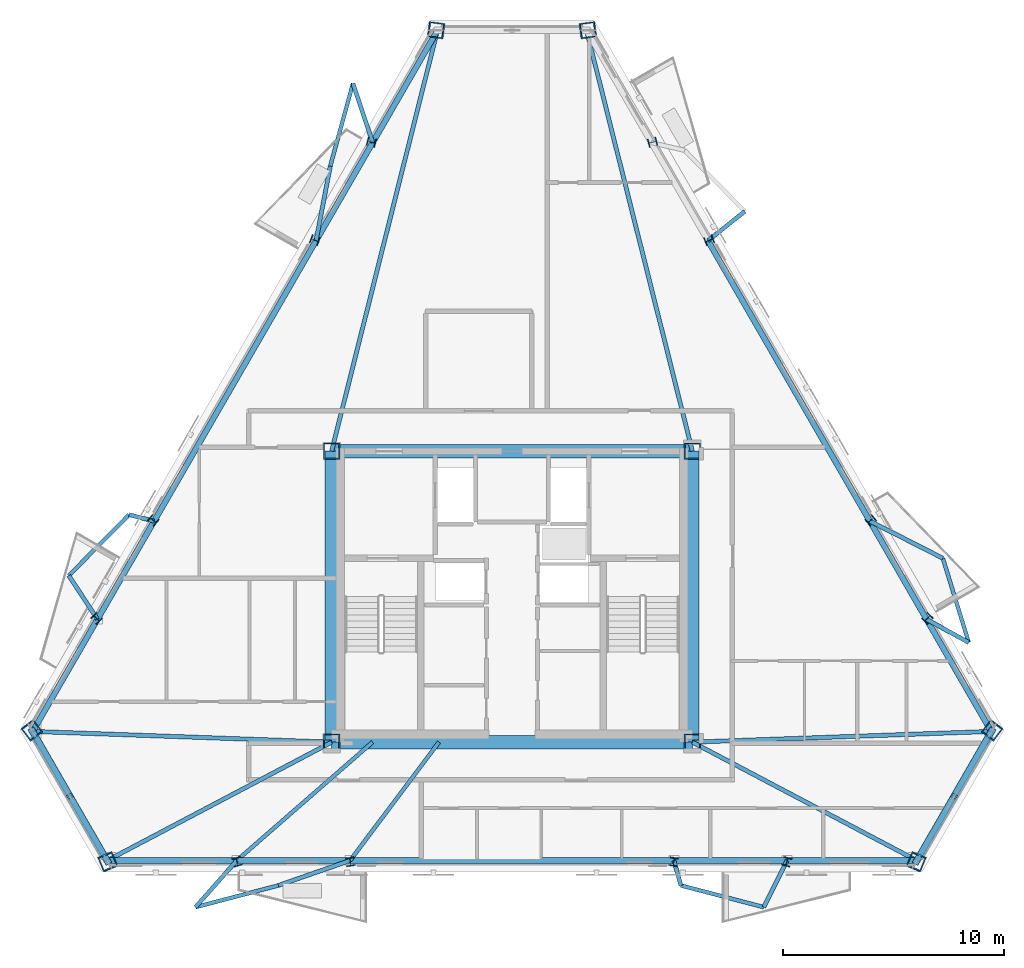
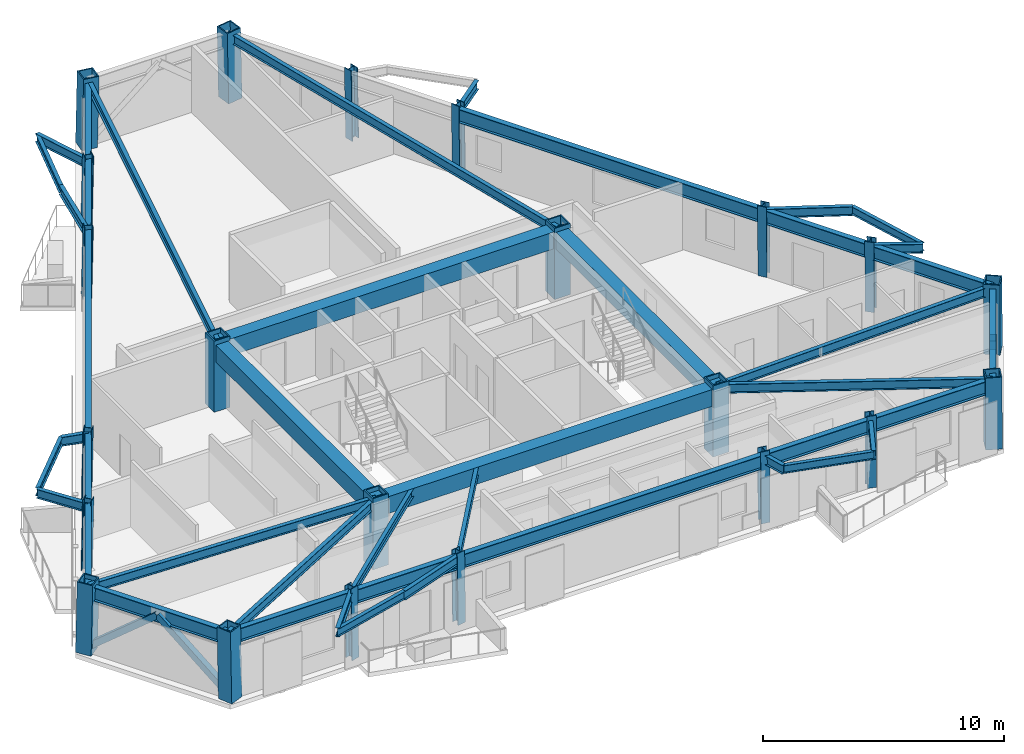
# One storey, part 1 of 11: 43 beams, 22 columns, 4 members.
"""IFC4 building model written with IfcOpenShell, lengths in metres."""

from ifc_helpers import new_model, si_unit, direction, frame, origin, origin_2d, place, context, subcontext, project, spatial, rectangle, hollow_rectangle, i_section, extrude, material, material_profile, profile_set, type_object, element, save


model = new_model("IFC4")

# Units and contexts
model_context = context("Model", 3, precision=1e-05, world=origin(), true_north=direction((0.0, 1.0)))
body_context = subcontext(model_context, "Body", "Model", "MODEL_VIEW")
ifc_project = project(units=[si_unit("LENGTHUNIT", "METRE"), si_unit("AREAUNIT", "SQUARE_METRE"), si_unit("VOLUMEUNIT", "CUBIC_METRE"), si_unit("PLANEANGLEUNIT", "RADIAN"), si_unit("MASSUNIT", "GRAM", prefix="KILO")], contexts=[model_context])

# Site, building, storey
site_placement = place(None, origin())
site = spatial("IfcSite", under=ifc_project, at=site_placement, CompositionType="ELEMENT")
building_placement = place(site_placement, origin())
building = spatial("IfcBuilding", under=site, at=building_placement, Name="Oramaril Tower", CompositionType="ELEMENT")
storey_placement = place(building_placement, frame((0.0, 0.0, 212.699951171875)))
storey = spatial("IfcBuildingStorey", under=building, at=storey_placement, Name="L56", CompositionType="ELEMENT", Elevation=212.699951171875)

# Columns
ifc_material_1 = material(Name="Steel ASTM A572 Gr 50", Category="steel")
ifc_material_profile_1 = material_profile(ifc_material_1, hollow_rectangle(XDim=0.75, YDim=0.75, WallThickness=0.06005859375, at=origin_2d()), Name="BOX750X750X60")
ifc_profile_set_1 = profile_set([ifc_material_profile_1], Name="Steel ASTM A572 Gr 50")
column_type_1 = type_object("IfcColumnType", Name="CT-CC4", PredefinedType="COLUMN", material=ifc_profile_set_1)
for number, where, z_axis, x_axis, name in (
    (1, (29.35009765625, 11.0, 0.0), (0.0, 0.0, 1.0), (1.0, 0.0, 0.0), "L56 Core Column CC-1"),
    (2, (45.64990234375, 11.0, 0.0), (0.0, 0.0, 1.0), (1.0, 0.0, 0.0), "L56 Core Column CC-2"),
    (3, (45.64990234375, 24.14990234375, 0.0), (0.0, 0.0, 1.0), (1.0, 0.0, 0.0), "L56 Core Column CC-3"),
    (4, (29.35009765625, 24.14990234375, 0.0), (0.0, 0.0, 1.0), (1.0, 0.0, 0.0), "L56 Core Column CC-4"),
):
    element("IfcColumn", number, at=place(storey_placement, frame(where, z_axis=z_axis, x_axis=x_axis)), inside=storey, type_object=column_type_1, Name=name, PredefinedType="COLUMN", context=body_context, shape_type="SweptSolid", body=[
        extrude(hollow_rectangle(XDim=0.75, YDim=0.75, WallThickness=0.06005859375, at=origin_2d()), origin(), (0.0, 0.0, 1.0), 3.60009765625),
    ])
ifc_material_2 = material(Name="Steel ASTM A572 Gr 50", Category="steel")
ifc_material_profile_2 = material_profile(ifc_material_2, hollow_rectangle(XDim=0.699951171875, YDim=0.699951171875, WallThickness=0.054931640625, at=origin_2d()), Name="BOX700X700X55")
ifc_profile_set_2 = profile_set([ifc_material_profile_2], Name="Steel ASTM A572 Gr 50")
column_type_2 = type_object("IfcColumnType", Name="CT-TC4", PredefinedType="COLUMN", material=ifc_profile_set_2)
for number, where, z_axis, x_axis, name in (
    (5, (15.798828125, 11.542724609375, 0.004638671875), (0.012235746513, -0.016042423206, 0.999796442865), (0.795122252878, 0.606449175924, 0.0), "L56 Tube Column TC-01"),
    (6, (19.238525390625, 5.584716796875, 0.004638671875), (-0.007749306555, 0.018625526281, 0.999796498303), (-0.923276184907, -0.384136806859, 0.0), "L56 Tube Column TC-02"),
    (7, (55.761474609375, 5.584716796875, 0.004638671875), (0.007749306555, 0.018625526281, 0.999796498303), (-0.923276184907, 0.384136806859, 0.0), "L56 Tube Column TC-03"),
    (8, (59.201171875, 11.542724609375, 0.004638671875), (-0.012235746513, -0.016042423206, 0.999796442865), (0.795122252878, -0.606449175924, 0.0), "L56 Tube Column TC-04"),
    (9, (40.939697265625, 43.172607421875, 0.004638671875), (-0.019985059056, -0.002651079263, 0.999796763944), (0.131501105217, -0.991316023943, 0.0), "L56 Tube Column TC-05"),
    (10, (34.060302734375, 43.172607421875, 0.004638671875), (0.019985059056, -0.002651079263, 0.999796763944), (0.131501105217, 0.991316023943, 0.0), "L56 Tube Column TC-06"),
):
    element("IfcColumn", number, at=place(storey_placement, frame(where, z_axis=z_axis, x_axis=x_axis)), inside=storey, type_object=column_type_2, Name=name, PredefinedType="COLUMN", context=body_context, shape_type="SweptSolid", body=[
        extrude(hollow_rectangle(XDim=0.699951171875, YDim=0.699951171875, WallThickness=0.054931640625, at=origin_2d()), origin(), (0.0, 0.0, 1.0), 3.591552734375),
    ])
ifc_material_3 = material(Name="Steel ASTM A572 Gr 50", Category="steel")
ifc_material_profile_3 = material_profile(ifc_material_3, i_section(OverallWidth=0.39892578125, OverallDepth=0.385986328125, WebThickness=0.02099609375, FlangeThickness=0.033203125, at=origin_2d()), Name="W14X176")
ifc_profile_set_3 = profile_set([ifc_material_profile_3], Name="Steel ASTM A572 Gr 50")
column_type_3 = type_object("IfcColumnType", Name="CT-TF4", PredefinedType="COLUMN", material=ifc_profile_set_3)
for number, where, z_axis, x_axis, name in (
    (11, (25.082275390625, 5.584716796875, 0.004638671875), (-0.005302241791, 0.018625823727, 0.999812464877), (-0.961788419571, -0.273793783674, 0.0), "L56 Tube Column TC-07"),
    (12, (30.1953125, 5.584716796875, 0.004638671875), (-0.003059014337, 0.018625998406, 0.999821841437), (-0.986780496976, -0.162062490379, 0.0), "L56 Tube Column TC-08"),
    (13, (44.8046875, 5.584716796875, 0.004638671875), (0.003059014337, 0.018625998406, 0.999821841437), (-0.986780496976, 0.162062490379, 0.0), "L56 Tube Column TC-09"),
    (14, (49.917724609375, 5.584716796875, 0.004638671875), (0.005302241791, 0.018625823727, 0.999812464877), (-0.961788419571, 0.273793783674, 0.0), "L56 Tube Column TC-10"),
    (15, (56.279296875, 16.603515625, 0.004638671875), (-0.013459547427, -0.013867412501, 0.999813250289), (0.717580691628, -0.696475377169, 0.0), "L56 Tube Column TC-11"),
    (16, (53.722900390625, 21.031494140625, 0.004638671875), (-0.014615287343, -0.011964142197, 0.999821610427), (0.633433758122, -0.773796920433, 0.0), "L56 Tube Column TC-12"),
    (17, (46.418212890625, 33.68359375, 0.004638671875), (-0.017674300851, -0.006661851859, 0.999821603497), (0.352700580664, -0.935736234416, 0.0), "L56 Tube Column TC-13"),
    (18, (43.861572265625, 38.11181640625, 0.004638671875), (-0.018761776174, -0.004826398943, 0.999812333205), (0.249135076206, -0.968468746942, 0.0), "L56 Tube Column TC-14"),
    (19, (31.138427734375, 38.11181640625, 0.004638671875), (0.018761776174, -0.004826398943, 0.999812333205), (0.249135076206, 0.968468746942, 0.0), "L56 Tube Column TC-15"),
    (20, (28.581787109375, 33.68359375, 0.004638671875), (0.017674300851, -0.006661851859, 0.999821603497), (0.352700580664, 0.935736234416, 0.0), "L56 Tube Column TC-16"),
    (21, (21.277099609375, 21.031494140625, 0.004638671875), (0.014615287343, -0.011964142197, 0.999821610427), (0.633433758122, 0.773796920433, 0.0), "L56 Tube Column TC-17"),
    (22, (18.720703125, 16.603515625, 0.004638671875), (0.013459547427, -0.013867412501, 0.999813250289), (0.717580691628, 0.696475377169, 0.0), "L56 Tube Column TC-18"),
):
    element("IfcColumn", number, at=place(storey_placement, frame(where, z_axis=z_axis, x_axis=x_axis)), inside=storey, type_object=column_type_3, Name=name, PredefinedType="COLUMN", context=body_context, shape_type="SweptSolid", body=[
        extrude(i_section(OverallWidth=0.39892578125, OverallDepth=0.385986328125, WebThickness=0.02099609375, FlangeThickness=0.033203125, at=origin_2d()), origin(), (0.0, 0.0, 1.0), 3.591552734375),
    ])

# Beams
ifc_material_4 = material(Name="Steel ASTM A572 Gr 50", Category="steel")
ifc_material_profile_4 = material_profile(ifc_material_4, i_section(OverallWidth=0.19091796875, OverallDepth=0.45703125, WebThickness=0.009033203125, FlangeThickness=0.014404296875, at=origin_2d()), Name="W18X50")
ifc_profile_set_4 = profile_set([ifc_material_profile_4], Name="Steel ASTM A572 Gr 50")
beam_type_1 = type_object("IfcBeamType", Name="BT-BB1", PredefinedType="BEAM", material=ifc_profile_set_4)
beam_1_placement = place(storey_placement, frame((29.35009765625, 11.0, 3.151611328125), z_axis=(-0.999355701214, 0.035891258691, 0.0), x_axis=(-0.035891258691, -0.999355701214, 0.0)))
element("IfcBeam", 23, at=beam_1_placement, inside=storey, type_object=beam_type_1, Name="L56 Radial Primary Beam RB-01", PredefinedType="BEAM", context=body_context, shape_type="SweptSolid", body=[
    extrude(i_section(OverallWidth=0.19091796875, OverallDepth=0.45703125, WebThickness=0.009033203125, FlangeThickness=0.014404296875, at=origin_2d()), origin(), (0.0, 0.0, 1.0), 13.51611328125),
])
for number, where, z_axis, x_axis, name in (
    (24, (29.35009765625, 11.0, 3.151611328125), (-0.884491446774, -0.466556406647, 0.0), (0.466556406647, -0.884491446774, 0.0), "L56 Radial Primary Beam RB-02"),
    (25, (45.64990234375, 11.0, 3.151611328125), (0.884491446774, -0.466556406647, 0.0), (0.466556406647, 0.884491446774, 0.0), "L56 Radial Primary Beam RB-03"),
):
    element("IfcBeam", number, at=place(storey_placement, frame(where, z_axis=z_axis, x_axis=x_axis)), inside=storey, type_object=beam_type_1, Name=name, PredefinedType="BEAM", context=body_context, shape_type="SweptSolid", body=[
        extrude(i_section(OverallWidth=0.19091796875, OverallDepth=0.45703125, WebThickness=0.009033203125, FlangeThickness=0.014404296875, at=origin_2d()), origin(), (0.0, 0.0, 1.0), 11.463623046875),
    ])
beam_2_placement = place(storey_placement, frame((45.64990234375, 11.0, 3.151611328125), z_axis=(0.999355701214, 0.035891258691, 0.0), x_axis=(-0.035891258691, 0.999355701214, 0.0)))
element("IfcBeam", 26, at=beam_2_placement, inside=storey, type_object=beam_type_1, Name="L56 Radial Primary Beam RB-04", PredefinedType="BEAM", context=body_context, shape_type="SweptSolid", body=[
    extrude(i_section(OverallWidth=0.19091796875, OverallDepth=0.45703125, WebThickness=0.009033203125, FlangeThickness=0.014404296875, at=origin_2d()), origin(), (0.0, 0.0, 1.0), 13.51611328125),
])
for number, where, z_axis, x_axis, name in (
    (27, (45.64990234375, 24.14990234375, 3.151611328125), (-0.243912511132, 0.969797240104, 0.0), (-0.969797240104, -0.243912511132, 0.0), "L56 Radial Primary Beam RB-05"),
    (28, (29.35009765625, 24.14990234375, 3.151611328125), (0.243912511132, 0.969797240104, 0.0), (-0.969797240104, 0.243912511132, 0.0), "L56 Radial Primary Beam RB-06"),
):
    element("IfcBeam", number, at=place(storey_placement, frame(where, z_axis=z_axis, x_axis=x_axis)), inside=storey, type_object=beam_type_1, Name=name, PredefinedType="BEAM", context=body_context, shape_type="SweptSolid", body=[
        extrude(i_section(OverallWidth=0.19091796875, OverallDepth=0.45703125, WebThickness=0.009033203125, FlangeThickness=0.014404296875, at=origin_2d()), origin(), (0.0, 0.0, 1.0), 19.605224609375),
    ])
beam_3_placement = place(storey_placement, frame((25.063232421875, 5.651611328125, 3.151611328125), z_axis=(-0.662682424385, -0.748900530385, 0.0), x_axis=(0.748900530385, -0.662682424385, 0.0)))
element("IfcBeam", 29, at=beam_3_placement, inside=storey, type_object=beam_type_1, Name="L56 Balcony Column-Framed Cantilever 01.1", PredefinedType="BEAM", context=body_context, shape_type="SweptSolid", body=[
    extrude(i_section(OverallWidth=0.19091796875, OverallDepth=0.45703125, WebThickness=0.009033203125, FlangeThickness=0.014404296875, at=origin_2d()), origin(), (0.0, 0.0, 1.0), 2.814697265625),
])
beam_4_placement = place(storey_placement, frame((30.184326171875, 5.651611328125, 3.151611328125), z_axis=(-0.944477605806, -0.328575793586, 0.0), x_axis=(0.328575793586, -0.944477605806, 0.0)))
element("IfcBeam", 30, at=beam_4_placement, inside=storey, type_object=beam_type_1, Name="L56 Balcony Column-Framed Cantilever 01.2", PredefinedType="BEAM", context=body_context, shape_type="SweptSolid", body=[
    extrude(i_section(OverallWidth=0.19091796875, OverallDepth=0.45703125, WebThickness=0.009033203125, FlangeThickness=0.014404296875, at=origin_2d()), origin(), (0.0, 0.0, 1.0), 3.432861328125),
])
beam_5_placement = place(storey_placement, frame((44.815673828125, 5.651611328125, 3.151611328125), z_axis=(0.270673165077, -0.962671303045, 0.0), x_axis=(0.962671303045, 0.270673165077, 0.0)))
element("IfcBeam", 31, at=beam_5_placement, inside=storey, type_object=beam_type_1, Name="L56 Balcony Column-Framed Cantilever 02.1", PredefinedType="BEAM", context=body_context, shape_type="SweptSolid", body=[
    extrude(i_section(OverallWidth=0.19091796875, OverallDepth=0.45703125, WebThickness=0.009033203125, FlangeThickness=0.014404296875, at=origin_2d()), origin(), (0.0, 0.0, 1.0), 1.171630859375),
])
beam_6_placement = place(storey_placement, frame((49.936767578125, 5.651611328125, 3.151611328125), z_axis=(-0.449199275443, -0.89343159276, 0.0), x_axis=(0.89343159276, -0.449199275443, 0.0)))
element("IfcBeam", 32, at=beam_6_placement, inside=storey, type_object=beam_type_1, Name="L56 Balcony Column-Framed Cantilever 02.2", PredefinedType="BEAM", context=body_context, shape_type="SweptSolid", body=[
    extrude(i_section(OverallWidth=0.19091796875, OverallDepth=0.45703125, WebThickness=0.009033203125, FlangeThickness=0.014404296875, at=origin_2d()), origin(), (0.0, 0.0, 1.0), 2.359375),
])
beam_7_placement = place(storey_placement, frame((56.23095703125, 16.5537109375, 3.151611328125), z_axis=(0.876005355481, -0.482301375873, 0.0), x_axis=(0.482301375873, 0.876005355481, 0.0)))
element("IfcBeam", 33, at=beam_7_placement, inside=storey, type_object=beam_type_1, Name="L56 Balcony Column-Framed Cantilever 03.1", PredefinedType="BEAM", context=body_context, shape_type="SweptSolid", body=[
    extrude(i_section(OverallWidth=0.19091796875, OverallDepth=0.45703125, WebThickness=0.009033203125, FlangeThickness=0.014404296875, at=origin_2d()), origin(), (0.0, 0.0, 1.0), 2.1796875),
])
beam_8_placement = place(storey_placement, frame((53.67041015625, 20.988525390625, 3.151611328125), z_axis=(0.891277562887, -0.453458163334, 0.0), x_axis=(0.453458163334, 0.891277562887, 0.0)))
element("IfcBeam", 34, at=beam_8_placement, inside=storey, type_object=beam_type_1, Name="L56 Balcony Column-Framed Cantilever 03.2", PredefinedType="BEAM", context=body_context, shape_type="SweptSolid", body=[
    extrude(i_section(OverallWidth=0.19091796875, OverallDepth=0.45703125, WebThickness=0.009033203125, FlangeThickness=0.014404296875, at=origin_2d()), origin(), (0.0, 0.0, 1.0), 3.699951171875),
])
beam_9_placement = place(storey_placement, frame((46.354736328125, 33.65966796875, 3.151611328125), z_axis=(0.782007217765, 0.623269373034, 0.0), x_axis=(-0.623269373034, 0.782007217765, 0.0)))
element("IfcBeam", 35, at=beam_9_placement, inside=storey, type_object=beam_type_1, Name="L56 Balcony Column-Framed Cantilever 04.1", PredefinedType="BEAM", context=body_context, shape_type="SweptSolid", body=[
    extrude(i_section(OverallWidth=0.19091796875, OverallDepth=0.45703125, WebThickness=0.009033203125, FlangeThickness=0.014404296875, at=origin_2d()), origin(), (0.0, 0.0, 1.0), 2.131591796875),
])
beam_10_placement = place(storey_placement, frame((31.205810546875, 38.094482421875, 3.151611328125), z_axis=(-0.317268368608, 0.948335796161, 0.0), x_axis=(-0.948335796161, -0.317268368608, 0.0)))
element("IfcBeam", 36, at=beam_10_placement, inside=storey, type_object=beam_type_1, Name="L56 Balcony Column-Framed Cantilever 05.1", PredefinedType="BEAM", context=body_context, shape_type="SweptSolid", body=[
    extrude(i_section(OverallWidth=0.19091796875, OverallDepth=0.45703125, WebThickness=0.009033203125, FlangeThickness=0.014404296875, at=origin_2d()), origin(), (0.0, 0.0, 1.0), 2.81494140625),
])
beam_11_placement = place(storey_placement, frame((28.645263671875, 33.65966796875, 3.151611328125), z_axis=(0.187683987872, 0.98222946438, 0.0), x_axis=(-0.98222946438, 0.187683987872, 0.0)))
element("IfcBeam", 37, at=beam_11_placement, inside=storey, type_object=beam_type_1, Name="L56 Balcony Column-Framed Cantilever 05.2", PredefinedType="BEAM", context=body_context, shape_type="SweptSolid", body=[
    extrude(i_section(OverallWidth=0.19091796875, OverallDepth=0.45703125, WebThickness=0.009033203125, FlangeThickness=0.014404296875, at=origin_2d()), origin(), (0.0, 0.0, 1.0), 3.432861328125),
])
beam_12_placement = place(storey_placement, frame((21.32958984375, 20.988525390625, 3.151611328125), z_axis=(-0.96904190839, 0.24689629358, 0.0), x_axis=(-0.24689629358, -0.96904190839, 0.0)))
element("IfcBeam", 38, at=beam_12_placement, inside=storey, type_object=beam_type_1, Name="L56 Balcony Column-Framed Cantilever 06.1", PredefinedType="BEAM", context=body_context, shape_type="SweptSolid", body=[
    extrude(i_section(OverallWidth=0.19091796875, OverallDepth=0.45703125, WebThickness=0.009033203125, FlangeThickness=0.014404296875, at=origin_2d()), origin(), (0.0, 0.0, 1.0), 1.171875),
])
beam_13_placement = place(storey_placement, frame((18.76904296875, 16.5537109375, 3.151611328125), z_axis=(-0.549171691967, 0.835709550467, 0.0), x_axis=(-0.835709550467, -0.549171691967, 0.0)))
element("IfcBeam", 39, at=beam_13_placement, inside=storey, type_object=beam_type_1, Name="L56 Balcony Column-Framed Cantilever 06.2", PredefinedType="BEAM", context=body_context, shape_type="SweptSolid", body=[
    extrude(i_section(OverallWidth=0.19091796875, OverallDepth=0.45703125, WebThickness=0.009033203125, FlangeThickness=0.014404296875, at=origin_2d()), origin(), (0.0, 0.0, 1.0), 2.359375),
])
ifc_material_5 = material(Name="Concrete C50/60", Category="concrete")
ifc_material_profile_5 = material_profile(ifc_material_5, rectangle(XDim=0.60009765625, YDim=0.85009765625, at=origin_2d()), Name="CB600X850")
ifc_profile_set_5 = profile_set([ifc_material_profile_5], Name="Concrete C50/60")
beam_type_2 = type_object("IfcBeamType", Name="BT-CB2", PredefinedType="BEAM", material=ifc_profile_set_5)
beam_14_placement = place(storey_placement, frame((29.35009765625, 11.0, 2.955078125), z_axis=(1.0, 0.0, 0.0), x_axis=(0.0, 1.0, 0.0)))
element("IfcBeam", 40, at=beam_14_placement, inside=storey, type_object=beam_type_2, Name="L56 Core Header Beam CB-1", PredefinedType="BEAM", context=body_context, shape_type="SweptSolid", body=[
    extrude(rectangle(XDim=0.60009765625, YDim=0.85009765625, at=origin_2d()), origin(), (0.0, 0.0, 1.0), 16.2998046875),
])
beam_15_placement = place(storey_placement, frame((45.64990234375, 11.0, 2.955078125), z_axis=(0.0, 1.0, 0.0), x_axis=(-1.0, 0.0, 0.0)))
element("IfcBeam", 41, at=beam_15_placement, inside=storey, type_object=beam_type_2, Name="L56 Core Header Beam CB-2", PredefinedType="BEAM", context=body_context, shape_type="SweptSolid", body=[
    extrude(rectangle(XDim=0.60009765625, YDim=0.85009765625, at=origin_2d()), origin(), (0.0, 0.0, 1.0), 13.14990234375),
])
beam_16_placement = place(storey_placement, frame((45.64990234375, 24.14990234375, 2.955078125), z_axis=(-1.0, 0.0, 0.0), x_axis=(0.0, -1.0, 0.0)))
element("IfcBeam", 42, at=beam_16_placement, inside=storey, type_object=beam_type_2, Name="L56 Core Header Beam CB-3", PredefinedType="BEAM", context=body_context, shape_type="SweptSolid", body=[
    extrude(rectangle(XDim=0.60009765625, YDim=0.85009765625, at=origin_2d()), origin(), (0.0, 0.0, 1.0), 16.2998046875),
])
beam_17_placement = place(storey_placement, frame((29.35009765625, 24.14990234375, 2.955078125), z_axis=(0.0, -1.0, 0.0), x_axis=(1.0, 0.0, 0.0)))
element("IfcBeam", 43, at=beam_17_placement, inside=storey, type_object=beam_type_2, Name="L56 Core Header Beam CB-4", PredefinedType="BEAM", context=body_context, shape_type="SweptSolid", body=[
    extrude(rectangle(XDim=0.60009765625, YDim=0.85009765625, at=origin_2d()), origin(), (0.0, 0.0, 1.0), 13.14990234375),
])
ifc_material_6 = material(Name="Steel ASTM A572 Gr 50", Category="steel")
ifc_material_profile_6 = material_profile(ifc_material_6, i_section(OverallWidth=0.177978515625, OverallDepth=0.404052734375, WebThickness=0.007568359375, FlangeThickness=0.010986328125, at=origin_2d()), Name="W16X36")
ifc_profile_set_6 = profile_set([ifc_material_profile_6], Name="Steel ASTM A572 Gr 50")
beam_type_3 = type_object("IfcBeamType", Name="BT-SB1", PredefinedType="BEAM", material=ifc_profile_set_6)
beam_18_placement = place(storey_placement, frame((31.199951171875, 11.0, 3.177978515625), z_axis=(-0.753868331992, -0.657025523112, 0.0), x_axis=(0.657025523112, -0.753868331992, 0.0)))
element("IfcBeam", 44, at=beam_18_placement, inside=storey, type_object=beam_type_3, Name="L56 Secondary Floor Beam SB-01", PredefinedType="BEAM", context=body_context, shape_type="SweptSolid", body=[
    extrude(i_section(OverallWidth=0.177978515625, OverallDepth=0.404052734375, WebThickness=0.007568359375, FlangeThickness=0.010986328125, at=origin_2d()), origin(), (0.0, 0.0, 1.0), 8.140380859375),
])
beam_19_placement = place(storey_placement, frame((34.199951171875, 11.0, 3.177978515625), z_axis=(-0.60041460263, -0.799688880096, 0.0), x_axis=(0.799688880096, -0.60041460263, 0.0)))
element("IfcBeam", 45, at=beam_19_placement, inside=storey, type_object=beam_type_3, Name="L56 Secondary Floor Beam SB-02", PredefinedType="BEAM", context=body_context, shape_type="SweptSolid", body=[
    extrude(i_section(OverallWidth=0.177978515625, OverallDepth=0.404052734375, WebThickness=0.007568359375, FlangeThickness=0.010986328125, at=origin_2d()), origin(), (0.0, 0.0, 1.0), 6.68798828125),
])
for number, where, z_axis, x_axis, name in (
    (46, (23.197998046875, 3.543701171875, 3.177978515625), (0.967411967632, 0.253207592467, 0.0), (-0.253207592467, 0.967411967632, 0.0), "L56 Balcony Edge Tie Beam 01"),
    (47, (45.1328125, 4.523681640625, 3.177978515625), (0.967411967632, -0.253207592467, 0.0), (0.253207592467, 0.967411967632, 0.0), "L56 Balcony Edge Tie Beam 02"),
):
    element("IfcBeam", number, at=place(storey_placement, frame(where, z_axis=z_axis, x_axis=x_axis)), inside=storey, type_object=beam_type_3, Name=name, PredefinedType="BEAM", context=body_context, shape_type="SweptSolid", body=[
        extrude(i_section(OverallWidth=0.177978515625, OverallDepth=0.404052734375, WebThickness=0.007568359375, FlangeThickness=0.010986328125, at=origin_2d()), origin(), (0.0, 0.0, 1.0), 3.870361328125),
    ])
beam_20_placement = place(storey_placement, frame((58.140380859375, 15.50244140625, 3.177978515625), z_axis=(-0.294215008386, 0.955739257769, 0.0), x_axis=(-0.955739257769, -0.294215008386, 0.0)))
element("IfcBeam", 48, at=beam_20_placement, inside=storey, type_object=beam_type_3, Name="L56 Balcony Edge Tie Beam 03", PredefinedType="BEAM", context=body_context, shape_type="SweptSolid", body=[
    extrude(i_section(OverallWidth=0.177978515625, OverallDepth=0.404052734375, WebThickness=0.007568359375, FlangeThickness=0.010986328125, at=origin_2d()), origin(), (0.0, 0.0, 1.0), 3.984619140625),
])
for number, where, z_axis, x_axis, name in (
    (49, (30.312744140625, 40.763916015625, 3.177978515625), (-0.264382243015, -0.964417974521, 0.0), (0.964417974521, -0.264382243015, 0.0), "L56 Balcony Edge Tie Beam 05"),
    (50, (20.194091796875, 21.27783203125, 3.177978515625), (-0.702994511648, -0.71119527318, 0.0), (0.71119527318, -0.702994511648, 0.0), "L56 Balcony Edge Tie Beam 06"),
):
    element("IfcBeam", number, at=place(storey_placement, frame(where, z_axis=z_axis, x_axis=x_axis)), inside=storey, type_object=beam_type_3, Name=name, PredefinedType="BEAM", context=body_context, shape_type="SweptSolid", body=[
        extrude(i_section(OverallWidth=0.177978515625, OverallDepth=0.404052734375, WebThickness=0.007568359375, FlangeThickness=0.010986328125, at=origin_2d()), origin(), (0.0, 0.0, 1.0), 3.8701171875),
    ])
ifc_material_7 = material(Name="Steel ASTM A572 Gr 50", Category="steel")
ifc_material_profile_7 = material_profile(ifc_material_7, i_section(OverallWidth=0.257080078125, OverallDepth=0.693115234375, WebThickness=0.014404296875, FlangeThickness=0.023681640625, at=origin_2d()), Name="W27X114")
ifc_profile_set_7 = profile_set([ifc_material_profile_7], Name="Steel ASTM A572 Gr 50")
beam_type_4 = type_object("IfcBeamType", Name="BT-SP4", PredefinedType="SPANDREL", material=ifc_profile_set_7)
beam_21_placement = place(storey_placement, frame((15.8427734375, 11.485107421875, 3.033447265625), z_axis=(0.499994363989, -0.866028657713, 0.0), x_axis=(0.866028657713, 0.499994363989, 0.0)))
element("IfcBeam", 51, at=beam_21_placement, inside=storey, type_object=beam_type_4, Name="L56 Perimeter Spandrel 01", PredefinedType="SPANDREL", context=body_context, shape_type="SweptSolid", body=[
    extrude(i_section(OverallWidth=0.257080078125, OverallDepth=0.693115234375, WebThickness=0.014404296875, FlangeThickness=0.023681640625, at=origin_2d()), origin(), (0.0, 0.0, 1.0), 6.73583984375),
])
beam_22_placement = place(storey_placement, frame((19.210693359375, 5.651611328125, 3.033447265625), z_axis=(1.0, 0.0, 0.0), x_axis=(0.0, 1.0, 0.0)))
element("IfcBeam", 52, at=beam_22_placement, inside=storey, type_object=beam_type_4, Name="L56 Perimeter Spandrel 02", PredefinedType="SPANDREL", context=body_context, shape_type="SweptSolid", body=[
    extrude(i_section(OverallWidth=0.257080078125, OverallDepth=0.693115234375, WebThickness=0.014404296875, FlangeThickness=0.023681640625, at=origin_2d()), origin(), (0.0, 0.0, 1.0), 5.8525390625),
])
beam_23_placement = place(storey_placement, frame((25.063232421875, 5.651611328125, 3.033447265625), z_axis=(1.0, 0.0, 0.0), x_axis=(0.0, 1.0, 0.0)))
element("IfcBeam", 53, at=beam_23_placement, inside=storey, type_object=beam_type_4, Name="L56 Perimeter Spandrel 03", PredefinedType="SPANDREL", context=body_context, shape_type="SweptSolid", body=[
    extrude(i_section(OverallWidth=0.257080078125, OverallDepth=0.693115234375, WebThickness=0.014404296875, FlangeThickness=0.023681640625, at=origin_2d()), origin(), (0.0, 0.0, 1.0), 5.12109375),
])
beam_24_placement = place(storey_placement, frame((30.184326171875, 5.651611328125, 3.033447265625), z_axis=(1.0, 0.0, 0.0), x_axis=(0.0, 1.0, 0.0)))
element("IfcBeam", 54, at=beam_24_placement, inside=storey, type_object=beam_type_4, Name="L56 Perimeter Spandrel 04", PredefinedType="SPANDREL", context=body_context, shape_type="SweptSolid", body=[
    extrude(i_section(OverallWidth=0.257080078125, OverallDepth=0.693115234375, WebThickness=0.014404296875, FlangeThickness=0.023681640625, at=origin_2d()), origin(), (0.0, 0.0, 1.0), 14.63134765625),
])
beam_25_placement = place(storey_placement, frame((44.815673828125, 5.651611328125, 3.033447265625), z_axis=(1.0, 0.0, 0.0), x_axis=(0.0, 1.0, 0.0)))
element("IfcBeam", 55, at=beam_25_placement, inside=storey, type_object=beam_type_4, Name="L56 Perimeter Spandrel 05", PredefinedType="SPANDREL", context=body_context, shape_type="SweptSolid", body=[
    extrude(i_section(OverallWidth=0.257080078125, OverallDepth=0.693115234375, WebThickness=0.014404296875, FlangeThickness=0.023681640625, at=origin_2d()), origin(), (0.0, 0.0, 1.0), 5.12109375),
])
beam_26_placement = place(storey_placement, frame((49.936767578125, 5.651611328125, 3.033447265625), z_axis=(1.0, 0.0, 0.0), x_axis=(0.0, 1.0, 0.0)))
element("IfcBeam", 56, at=beam_26_placement, inside=storey, type_object=beam_type_4, Name="L56 Perimeter Spandrel 06", PredefinedType="SPANDREL", context=body_context, shape_type="SweptSolid", body=[
    extrude(i_section(OverallWidth=0.257080078125, OverallDepth=0.693115234375, WebThickness=0.014404296875, FlangeThickness=0.023681640625, at=origin_2d()), origin(), (0.0, 0.0, 1.0), 5.8525390625),
])
beam_27_placement = place(storey_placement, frame((55.789306640625, 5.651611328125, 3.033447265625), z_axis=(0.499994363989, 0.866028657713, 0.0), x_axis=(-0.866028657713, 0.499994363989, 0.0)))
element("IfcBeam", 57, at=beam_27_placement, inside=storey, type_object=beam_type_4, Name="L56 Perimeter Spandrel 07", PredefinedType="SPANDREL", context=body_context, shape_type="SweptSolid", body=[
    extrude(i_section(OverallWidth=0.257080078125, OverallDepth=0.693115234375, WebThickness=0.014404296875, FlangeThickness=0.023681640625, at=origin_2d()), origin(), (0.0, 0.0, 1.0), 6.73583984375),
])
beam_28_placement = place(storey_placement, frame((59.1572265625, 11.485107421875, 3.033447265625), z_axis=(-0.499988457423, 0.866032067792, 0.0), x_axis=(-0.866032067792, -0.499988457423, 0.0)))
element("IfcBeam", 58, at=beam_28_placement, inside=storey, type_object=beam_type_4, Name="L56 Perimeter Spandrel 08", PredefinedType="SPANDREL", context=body_context, shape_type="SweptSolid", body=[
    extrude(i_section(OverallWidth=0.257080078125, OverallDepth=0.693115234375, WebThickness=0.014404296875, FlangeThickness=0.023681640625, at=origin_2d()), origin(), (0.0, 0.0, 1.0), 5.852783203125),
])
beam_29_placement = place(storey_placement, frame((56.23095703125, 16.5537109375, 3.033447265625), z_axis=(-0.500015459501, 0.866016478054, 0.0), x_axis=(-0.866016478054, -0.500015459501, 0.0)))
element("IfcBeam", 59, at=beam_29_placement, inside=storey, type_object=beam_type_4, Name="L56 Perimeter Spandrel 09", PredefinedType="SPANDREL", context=body_context, shape_type="SweptSolid", body=[
    extrude(i_section(OverallWidth=0.257080078125, OverallDepth=0.693115234375, WebThickness=0.014404296875, FlangeThickness=0.023681640625, at=origin_2d()), origin(), (0.0, 0.0, 1.0), 5.120849609375),
])
beam_30_placement = place(storey_placement, frame((53.67041015625, 20.988525390625, 3.033447265625), z_axis=(-0.499999295163, 0.866025810722, 0.0), x_axis=(-0.866025810722, -0.499999295163, 0.0)))
element("IfcBeam", 60, at=beam_30_placement, inside=storey, type_object=beam_type_4, Name="L56 Perimeter Spandrel 10", PredefinedType="SPANDREL", context=body_context, shape_type="SweptSolid", body=[
    extrude(i_section(OverallWidth=0.257080078125, OverallDepth=0.693115234375, WebThickness=0.014404296875, FlangeThickness=0.023681640625, at=origin_2d()), origin(), (0.0, 0.0, 1.0), 14.63134765625),
])
beam_31_placement = place(storey_placement, frame((34.132080078125, 43.1630859375, 3.033447265625), z_axis=(-0.499988457423, -0.866032067792, 0.0), x_axis=(0.866032067792, -0.499988457423, 0.0)))
element("IfcBeam", 61, at=beam_31_placement, inside=storey, type_object=beam_type_4, Name="L56 Perimeter Spandrel 14", PredefinedType="SPANDREL", context=body_context, shape_type="SweptSolid", body=[
    extrude(i_section(OverallWidth=0.257080078125, OverallDepth=0.693115234375, WebThickness=0.014404296875, FlangeThickness=0.023681640625, at=origin_2d()), origin(), (0.0, 0.0, 1.0), 5.852783203125),
])
beam_32_placement = place(storey_placement, frame((31.205810546875, 38.094482421875, 3.033447265625), z_axis=(-0.500015459501, -0.866016478054, 0.0), x_axis=(0.866016478054, -0.500015459501, 0.0)))
element("IfcBeam", 62, at=beam_32_placement, inside=storey, type_object=beam_type_4, Name="L56 Perimeter Spandrel 15", PredefinedType="SPANDREL", context=body_context, shape_type="SweptSolid", body=[
    extrude(i_section(OverallWidth=0.257080078125, OverallDepth=0.693115234375, WebThickness=0.014404296875, FlangeThickness=0.023681640625, at=origin_2d()), origin(), (0.0, 0.0, 1.0), 5.120849609375),
])
beam_33_placement = place(storey_placement, frame((28.645263671875, 33.65966796875, 3.033447265625), z_axis=(-0.499999295163, -0.866025810722, 0.0), x_axis=(0.866025810722, -0.499999295163, 0.0)))
element("IfcBeam", 63, at=beam_33_placement, inside=storey, type_object=beam_type_4, Name="L56 Perimeter Spandrel 16", PredefinedType="SPANDREL", context=body_context, shape_type="SweptSolid", body=[
    extrude(i_section(OverallWidth=0.257080078125, OverallDepth=0.693115234375, WebThickness=0.014404296875, FlangeThickness=0.023681640625, at=origin_2d()), origin(), (0.0, 0.0, 1.0), 14.63134765625),
])
beam_34_placement = place(storey_placement, frame((21.32958984375, 20.988525390625, 3.033447265625), z_axis=(-0.500015459501, -0.866016478054, 0.0), x_axis=(0.866016478054, -0.500015459501, 0.0)))
element("IfcBeam", 64, at=beam_34_placement, inside=storey, type_object=beam_type_4, Name="L56 Perimeter Spandrel 17", PredefinedType="SPANDREL", context=body_context, shape_type="SweptSolid", body=[
    extrude(i_section(OverallWidth=0.257080078125, OverallDepth=0.693115234375, WebThickness=0.014404296875, FlangeThickness=0.023681640625, at=origin_2d()), origin(), (0.0, 0.0, 1.0), 5.120849609375),
])
beam_35_placement = place(storey_placement, frame((18.76904296875, 16.5537109375, 3.033447265625), z_axis=(-0.499988457423, -0.866032067792, 0.0), x_axis=(0.866032067792, -0.499988457423, 0.0)))
element("IfcBeam", 65, at=beam_35_placement, inside=storey, type_object=beam_type_4, Name="L56 Perimeter Spandrel 18", PredefinedType="SPANDREL", context=body_context, shape_type="SweptSolid", body=[
    extrude(i_section(OverallWidth=0.257080078125, OverallDepth=0.693115234375, WebThickness=0.014404296875, FlangeThickness=0.023681640625, at=origin_2d()), origin(), (0.0, 0.0, 1.0), 5.852783203125),
])

# Members
ifc_material_8 = material(Name="Steel ASTM A572 Gr 50", Category="steel")
ifc_material_profile_8 = material_profile(ifc_material_8, hollow_rectangle(XDim=0.300048828125, YDim=0.300048828125, WallThickness=0.01611328125, at=origin_2d()), Name="HSS300X300X16")
ifc_profile_set_8 = profile_set([ifc_material_profile_8], Name="Steel ASTM A572 Gr 50")
member_type = type_object("IfcMemberType", Name="MT-KB2", PredefinedType="BRACE", material=ifc_profile_set_8)
member_1_placement = place(storey_placement, frame((15.798828125, 11.542724609375, 0.179931640625), z_axis=(0.38483470641, -0.666536989016, 0.638459623637), x_axis=(0.866020117278, 0.500009156386, 0.0)))
element("IfcMember", 66, at=member_1_placement, inside=storey, type_object=member_type, Name="L56 Perimeter Chevron Brace KB-1A", PredefinedType="BRACE", context=body_context, shape_type="SweptSolid", body=[
    extrude(hollow_rectangle(XDim=0.300048828125, YDim=0.300048828125, WallThickness=0.01611328125, at=origin_2d()), origin(), (0.0, 0.0, 1.0), 4.469482421875),
])
for number, where, z_axis, x_axis, name in (
    (67, (19.238525390625, 5.584716796875, 0.179931640625), (-0.384788169591, 0.666551000192, 0.638473044603), (-0.866050849587, -0.499955923987, 0.0), "L56 Perimeter Chevron Brace KB-1B"),
    (68, (55.761474609375, 5.584716796875, 0.179931640625), (0.384788169591, 0.666551000192, 0.638473044603), (-0.866050849587, 0.499955923987, 0.0), "L56 Perimeter Chevron Brace KB-2A"),
):
    element("IfcMember", number, at=place(storey_placement, frame(where, z_axis=z_axis, x_axis=x_axis)), inside=storey, type_object=member_type, Name=name, PredefinedType="BRACE", context=body_context, shape_type="SweptSolid", body=[
        extrude(hollow_rectangle(XDim=0.300048828125, YDim=0.300048828125, WallThickness=0.01611328125, at=origin_2d()), origin(), (0.0, 0.0, 1.0), 4.46923828125),
    ])
member_2_placement = place(storey_placement, frame((59.201171875, 11.542724609375, 0.179931640625), z_axis=(-0.38483470641, -0.666536989016, 0.638459623637), x_axis=(0.866020117278, -0.500009156386, 0.0)))
element("IfcMember", 69, at=member_2_placement, inside=storey, type_object=member_type, Name="L56 Perimeter Chevron Brace KB-2B", PredefinedType="BRACE", context=body_context, shape_type="SweptSolid", body=[
    extrude(hollow_rectangle(XDim=0.300048828125, YDim=0.300048828125, WallThickness=0.01611328125, at=origin_2d()), origin(), (0.0, 0.0, 1.0), 4.469482421875),
])

save(model, "model.ifc")
